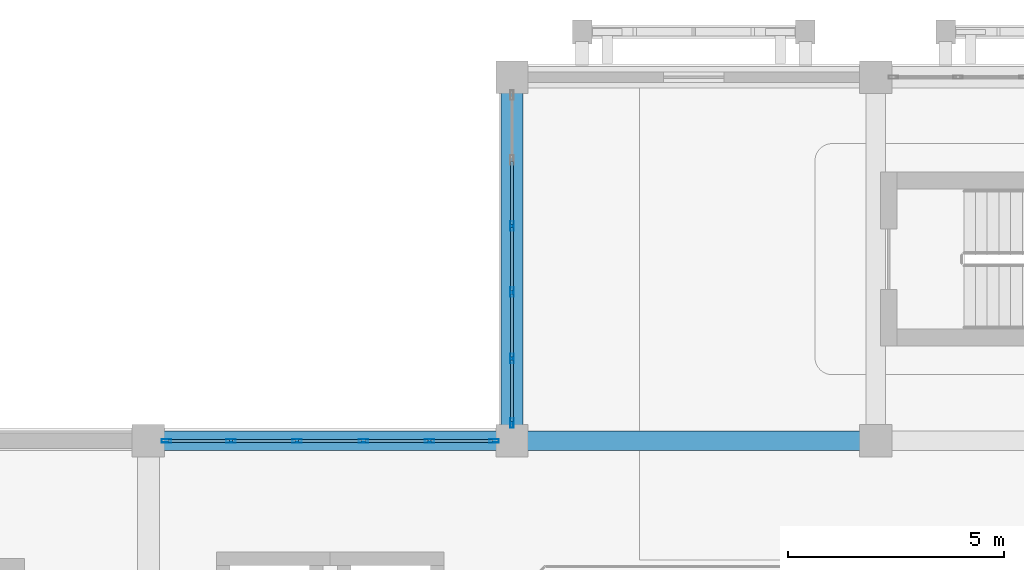
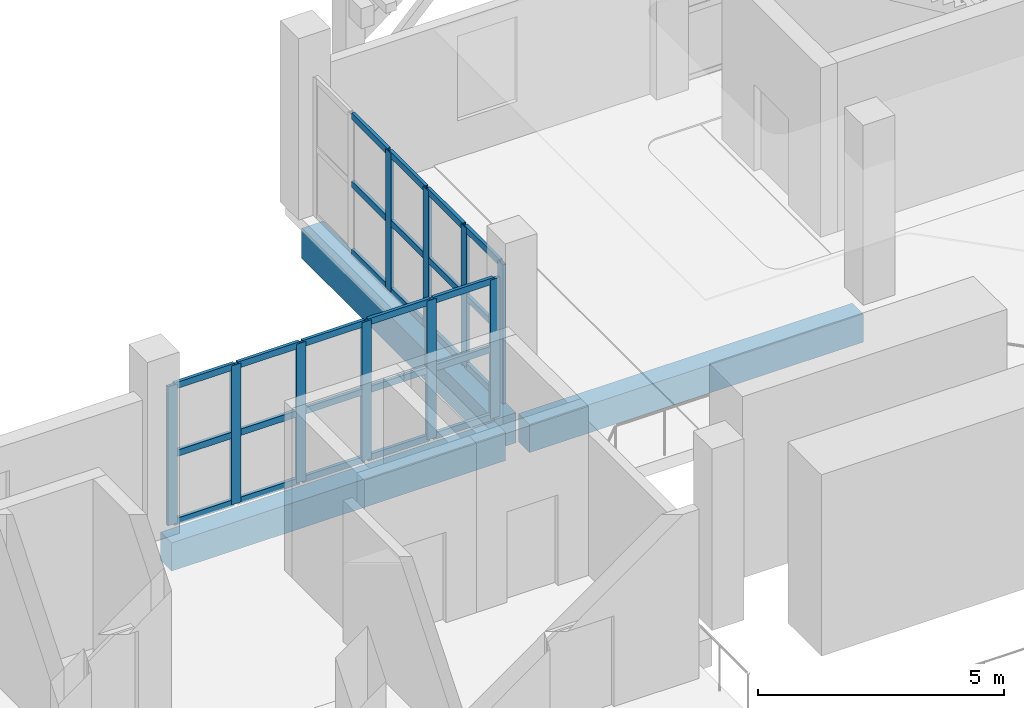
# One storey, part 14 of 34: 37 members, 3 beams, 2 elements without a shape of their own.
"""IFC4 building model written with IfcOpenShell, lengths in metres."""

from ifc_helpers import new_model, si_unit, direction, frame, origin, origin_2d, place, context, subcontext, project, spatial, rectangle, hollow_rectangle, extrude, material, layer, layer_set, material_profile, profile_set, type_object, element, aggregate, save


model = new_model("IFC4")

# Units and contexts
model_context = context("Model", 3, precision=1e-05, world=origin(), true_north=direction((0.0, 1.0)))
body_context = subcontext(model_context, "Body", "Model", "MODEL_VIEW")
ifc_project = project(units=[si_unit("LENGTHUNIT", "METRE"), si_unit("AREAUNIT", "SQUARE_METRE"), si_unit("VOLUMEUNIT", "CUBIC_METRE"), si_unit("PLANEANGLEUNIT", "RADIAN"), si_unit("MASSUNIT", "GRAM", prefix="KILO")], contexts=[model_context])

# Site, building, storey
site_placement = place(None, origin())
site = spatial("IfcSite", under=ifc_project, at=site_placement, CompositionType="ELEMENT")
building_placement = place(site_placement, origin())
building = spatial("IfcBuilding", under=site, at=building_placement, Name="Xazarin Passage Department Store", CompositionType="ELEMENT")
storey_placement = place(building_placement, frame((0.0, 0.0, 18.89990234375)))
storey = spatial("IfcBuildingStorey", under=building, at=storey_placement, Name="L04", CompositionType="ELEMENT", Elevation=18.89990234375)

# Curtain wall, members
ifc_material_1 = material(Name="Bronze anodised aluminium", Category="aluminium")
ifc_layer = layer(ifc_material_1, 0.199951171875)
ifc_layer_set = layer_set([ifc_layer], Name="Bronze anodised aluminium")
curtain_wall_type = type_object("IfcCurtainWallType", Name="ARC-CW-VIT2", PredefinedType="NOTDEFINED", material=ifc_layer_set)
curtain_wall_1_placement = place(storey_placement, origin())
curtain_wall_1 = element("IfcCurtainWall", 1, at=curtain_wall_1_placement, inside=storey, type_object=curtain_wall_type, Name="L04 V1 Curtain Wall 070", PredefinedType="NOTDEFINED")
ifc_material_profile_1 = material_profile(ifc_material_1, hollow_rectangle(XDim=0.074951171875, YDim=0.219970703125, WallThickness=0.0048828125, at=origin_2d()), Name="ALU 75x220")
ifc_profile_set_1 = profile_set([ifc_material_profile_1], Name="Bronze anodised aluminium")
member_type_1 = type_object("IfcMemberType", Name="ARC-CWM-75x220", PredefinedType="MULLION", material=ifc_profile_set_1)
member_1_placement = place(storey_placement, frame((8.8125, 101.60009765625, 0.0), z_axis=(0.0, 0.0, 1.0), x_axis=(0.0, 1.0, 0.0)))
member_1 = element("IfcMember", 2, at=member_1_placement, type_object=member_type_1, Name="CW2 mullion 1", PredefinedType="MULLION", context=body_context, shape_type="SweptSolid", body=[
    extrude(hollow_rectangle(XDim=0.074951171875, YDim=0.219970703125, WallThickness=0.0048828125, at=origin_2d()), origin(), (0.0, 0.0, 1.0), 3.4501953125),
])
member_2_placement = place(storey_placement, frame((10.304931640625, 101.60009765625, 0.0), z_axis=(0.0, 0.0, 1.0), x_axis=(0.0, 1.0, 0.0)))
member_2 = element("IfcMember", 3, at=member_2_placement, type_object=member_type_1, Name="CW2 mullion 2", PredefinedType="MULLION", context=body_context, shape_type="SweptSolid", body=[
    extrude(hollow_rectangle(XDim=0.074951171875, YDim=0.219970703125, WallThickness=0.0048828125, at=origin_2d()), origin(), (0.0, 0.0, 1.0), 3.4501953125),
])
member_3_placement = place(storey_placement, frame((11.8349609375, 101.60009765625, 0.0), z_axis=(0.0, 0.0, 1.0), x_axis=(0.0, 1.0, 0.0)))
member_3 = element("IfcMember", 4, at=member_3_placement, type_object=member_type_1, Name="CW2 mullion 3", PredefinedType="MULLION", context=body_context, shape_type="SweptSolid", body=[
    extrude(hollow_rectangle(XDim=0.074951171875, YDim=0.219970703125, WallThickness=0.0048828125, at=origin_2d()), origin(), (0.0, 0.0, 1.0), 3.4501953125),
])
member_4_placement = place(storey_placement, frame((13.364990234375, 101.60009765625, 0.0), z_axis=(0.0, 0.0, 1.0), x_axis=(0.0, 1.0, 0.0)))
member_4 = element("IfcMember", 5, at=member_4_placement, type_object=member_type_1, Name="CW2 mullion 4", PredefinedType="MULLION", context=body_context, shape_type="SweptSolid", body=[
    extrude(hollow_rectangle(XDim=0.074951171875, YDim=0.219970703125, WallThickness=0.0048828125, at=origin_2d()), origin(), (0.0, 0.0, 1.0), 3.4501953125),
])
member_5_placement = place(storey_placement, frame((14.89501953125, 101.60009765625, 0.0), z_axis=(0.0, 0.0, 1.0), x_axis=(0.0, 1.0, 0.0)))
member_5 = element("IfcMember", 6, at=member_5_placement, type_object=member_type_1, Name="CW2 mullion 5", PredefinedType="MULLION", context=body_context, shape_type="SweptSolid", body=[
    extrude(hollow_rectangle(XDim=0.074951171875, YDim=0.219970703125, WallThickness=0.0048828125, at=origin_2d()), origin(), (0.0, 0.0, 1.0), 3.4501953125),
])
member_6_placement = place(storey_placement, frame((16.387451171875, 101.60009765625, 0.0), z_axis=(0.0, 0.0, 1.0), x_axis=(0.0, 1.0, 0.0)))
member_6 = element("IfcMember", 7, at=member_6_placement, type_object=member_type_1, Name="CW2 mullion 6", PredefinedType="MULLION", context=body_context, shape_type="SweptSolid", body=[
    extrude(hollow_rectangle(XDim=0.074951171875, YDim=0.219970703125, WallThickness=0.0048828125, at=origin_2d()), origin(), (0.0, 0.0, 1.0), 3.4501953125),
])

curtain_wall_2_placement = place(storey_placement, origin())
curtain_wall_2 = element("IfcCurtainWall", 8, at=curtain_wall_2_placement, inside=storey, type_object=curtain_wall_type, Name="L04 V1 Curtain Wall 074", PredefinedType="NOTDEFINED")
member_7_placement = place(storey_placement, frame((16.800048828125, 102.012451171875, 0.0), z_axis=(0.0, 0.0, 1.0), x_axis=(-1.0, 0.0, 0.0)))
member_7 = element("IfcMember", 9, at=member_7_placement, type_object=member_type_1, Name="CW2 mullion 1", PredefinedType="MULLION", context=body_context, shape_type="SweptSolid", body=[
    extrude(hollow_rectangle(XDim=0.074951171875, YDim=0.219970703125, WallThickness=0.0048828125, at=origin_2d()), origin(), (0.0, 0.0, 1.0), 3.4501953125),
])
member_8_placement = place(storey_placement, frame((16.800048828125, 103.5048828125, 0.0), z_axis=(0.0, 0.0, 1.0), x_axis=(-1.0, 0.0, 0.0)))
member_8 = element("IfcMember", 10, at=member_8_placement, type_object=member_type_1, Name="CW2 mullion 2", PredefinedType="MULLION", context=body_context, shape_type="SweptSolid", body=[
    extrude(hollow_rectangle(XDim=0.074951171875, YDim=0.219970703125, WallThickness=0.0048828125, at=origin_2d()), origin(), (0.0, 0.0, 1.0), 3.4501953125),
])
member_9_placement = place(storey_placement, frame((16.800048828125, 105.034912109375, 0.0), z_axis=(0.0, 0.0, 1.0), x_axis=(-1.0, 0.0, 0.0)))
member_9 = element("IfcMember", 11, at=member_9_placement, type_object=member_type_1, Name="CW2 mullion 3", PredefinedType="MULLION", context=body_context, shape_type="SweptSolid", body=[
    extrude(hollow_rectangle(XDim=0.074951171875, YDim=0.219970703125, WallThickness=0.0048828125, at=origin_2d()), origin(), (0.0, 0.0, 1.0), 3.4501953125),
])
member_10_placement = place(storey_placement, frame((16.800048828125, 106.56494140625, 0.0), z_axis=(0.0, 0.0, 1.0), x_axis=(-1.0, 0.0, 0.0)))
member_10 = element("IfcMember", 12, at=member_10_placement, type_object=member_type_1, Name="CW2 mullion 4", PredefinedType="MULLION", context=body_context, shape_type="SweptSolid", body=[
    extrude(hollow_rectangle(XDim=0.074951171875, YDim=0.219970703125, WallThickness=0.0048828125, at=origin_2d()), origin(), (0.0, 0.0, 1.0), 3.4501953125),
])

# Member
ifc_material_profile_2 = material_profile(ifc_material_1, hollow_rectangle(XDim=0.074951171875, YDim=0.159912109375, WallThickness=0.00439453125, at=origin_2d()), Name="ALU 75x160")
ifc_profile_set_2 = profile_set([ifc_material_profile_2], Name="Bronze anodised aluminium")
member_type_2 = type_object("IfcMemberType", Name="ARC-CWT-75x160", PredefinedType="USERDEFINED", material=ifc_profile_set_2)
member_11_placement = place(storey_placement, frame((8.85009765625, 101.60009765625, 0.03759765625), z_axis=(1.0, 0.0, 0.0), x_axis=(0.0, 1.0, 0.0)))
member_11 = element("IfcMember", 13, at=member_11_placement, type_object=member_type_2, Name="CW2 transom 1.1", ObjectType="TRANSOM", PredefinedType="USERDEFINED", context=body_context, shape_type="SweptSolid", body=[
    extrude(hollow_rectangle(XDim=0.074951171875, YDim=0.159912109375, WallThickness=0.00439453125, at=origin_2d()), origin(), (0.0, 0.0, 1.0), 1.41748046875),
])

member_12_placement = place(storey_placement, frame((8.85009765625, 101.60009765625, 1.72509765625), z_axis=(1.0, 0.0, 0.0), x_axis=(0.0, 1.0, 0.0)))
member_12 = element("IfcMember", 14, at=member_12_placement, type_object=member_type_2, Name="CW2 transom 1.2", ObjectType="TRANSOM", PredefinedType="USERDEFINED", context=body_context, shape_type="SweptSolid", body=[
    extrude(hollow_rectangle(XDim=0.074951171875, YDim=0.159912109375, WallThickness=0.00439453125, at=origin_2d()), origin(), (0.0, 0.0, 1.0), 1.41748046875),
])

member_13_placement = place(storey_placement, frame((8.85009765625, 101.60009765625, 3.41259765625), z_axis=(1.0, 0.0, 0.0), x_axis=(0.0, 1.0, 0.0)))
member_13 = element("IfcMember", 15, at=member_13_placement, type_object=member_type_2, Name="CW2 transom 1.3", ObjectType="TRANSOM", PredefinedType="USERDEFINED", context=body_context, shape_type="SweptSolid", body=[
    extrude(hollow_rectangle(XDim=0.074951171875, YDim=0.159912109375, WallThickness=0.00439453125, at=origin_2d()), origin(), (0.0, 0.0, 1.0), 1.41748046875),
])

member_14_placement = place(storey_placement, frame((10.342529296875, 101.60009765625, 0.03759765625), z_axis=(1.0, 0.0, 0.0), x_axis=(0.0, 1.0, 0.0)))
member_14 = element("IfcMember", 16, at=member_14_placement, type_object=member_type_2, Name="CW2 transom 2.1", ObjectType="TRANSOM", PredefinedType="USERDEFINED", context=body_context, shape_type="SweptSolid", body=[
    extrude(hollow_rectangle(XDim=0.074951171875, YDim=0.159912109375, WallThickness=0.00439453125, at=origin_2d()), origin(), (0.0, 0.0, 1.0), 1.455078125),
])

member_15_placement = place(storey_placement, frame((10.342529296875, 101.60009765625, 1.72509765625), z_axis=(1.0, 0.0, 0.0), x_axis=(0.0, 1.0, 0.0)))
member_15 = element("IfcMember", 17, at=member_15_placement, type_object=member_type_2, Name="CW2 transom 2.2", ObjectType="TRANSOM", PredefinedType="USERDEFINED", context=body_context, shape_type="SweptSolid", body=[
    extrude(hollow_rectangle(XDim=0.074951171875, YDim=0.159912109375, WallThickness=0.00439453125, at=origin_2d()), origin(), (0.0, 0.0, 1.0), 1.455078125),
])

member_16_placement = place(storey_placement, frame((10.342529296875, 101.60009765625, 3.41259765625), z_axis=(1.0, 0.0, 0.0), x_axis=(0.0, 1.0, 0.0)))
member_16 = element("IfcMember", 18, at=member_16_placement, type_object=member_type_2, Name="CW2 transom 2.3", ObjectType="TRANSOM", PredefinedType="USERDEFINED", context=body_context, shape_type="SweptSolid", body=[
    extrude(hollow_rectangle(XDim=0.074951171875, YDim=0.159912109375, WallThickness=0.00439453125, at=origin_2d()), origin(), (0.0, 0.0, 1.0), 1.455078125),
])

member_17_placement = place(storey_placement, frame((11.87255859375, 101.60009765625, 0.03759765625), z_axis=(1.0, 0.0, 0.0), x_axis=(0.0, 1.0, 0.0)))
member_17 = element("IfcMember", 19, at=member_17_placement, type_object=member_type_2, Name="CW2 transom 3.1", ObjectType="TRANSOM", PredefinedType="USERDEFINED", context=body_context, shape_type="SweptSolid", body=[
    extrude(hollow_rectangle(XDim=0.074951171875, YDim=0.159912109375, WallThickness=0.00439453125, at=origin_2d()), origin(), (0.0, 0.0, 1.0), 1.454833984375),
])

member_18_placement = place(storey_placement, frame((11.87255859375, 101.60009765625, 1.72509765625), z_axis=(1.0, 0.0, 0.0), x_axis=(0.0, 1.0, 0.0)))
member_18 = element("IfcMember", 20, at=member_18_placement, type_object=member_type_2, Name="CW2 transom 3.2", ObjectType="TRANSOM", PredefinedType="USERDEFINED", context=body_context, shape_type="SweptSolid", body=[
    extrude(hollow_rectangle(XDim=0.074951171875, YDim=0.159912109375, WallThickness=0.00439453125, at=origin_2d()), origin(), (0.0, 0.0, 1.0), 1.454833984375),
])

member_19_placement = place(storey_placement, frame((11.87255859375, 101.60009765625, 3.41259765625), z_axis=(1.0, 0.0, 0.0), x_axis=(0.0, 1.0, 0.0)))
member_19 = element("IfcMember", 21, at=member_19_placement, type_object=member_type_2, Name="CW2 transom 3.3", ObjectType="TRANSOM", PredefinedType="USERDEFINED", context=body_context, shape_type="SweptSolid", body=[
    extrude(hollow_rectangle(XDim=0.074951171875, YDim=0.159912109375, WallThickness=0.00439453125, at=origin_2d()), origin(), (0.0, 0.0, 1.0), 1.454833984375),
])

member_20_placement = place(storey_placement, frame((13.402587890625, 101.60009765625, 0.03759765625), z_axis=(1.0, 0.0, 0.0), x_axis=(0.0, 1.0, 0.0)))
member_20 = element("IfcMember", 22, at=member_20_placement, type_object=member_type_2, Name="CW2 transom 4.1", ObjectType="TRANSOM", PredefinedType="USERDEFINED", context=body_context, shape_type="SweptSolid", body=[
    extrude(hollow_rectangle(XDim=0.074951171875, YDim=0.159912109375, WallThickness=0.00439453125, at=origin_2d()), origin(), (0.0, 0.0, 1.0), 1.454833984375),
])

member_21_placement = place(storey_placement, frame((13.402587890625, 101.60009765625, 1.72509765625), z_axis=(1.0, 0.0, 0.0), x_axis=(0.0, 1.0, 0.0)))
member_21 = element("IfcMember", 23, at=member_21_placement, type_object=member_type_2, Name="CW2 transom 4.2", ObjectType="TRANSOM", PredefinedType="USERDEFINED", context=body_context, shape_type="SweptSolid", body=[
    extrude(hollow_rectangle(XDim=0.074951171875, YDim=0.159912109375, WallThickness=0.00439453125, at=origin_2d()), origin(), (0.0, 0.0, 1.0), 1.454833984375),
])

member_22_placement = place(storey_placement, frame((13.402587890625, 101.60009765625, 3.41259765625), z_axis=(1.0, 0.0, 0.0), x_axis=(0.0, 1.0, 0.0)))
member_22 = element("IfcMember", 24, at=member_22_placement, type_object=member_type_2, Name="CW2 transom 4.3", ObjectType="TRANSOM", PredefinedType="USERDEFINED", context=body_context, shape_type="SweptSolid", body=[
    extrude(hollow_rectangle(XDim=0.074951171875, YDim=0.159912109375, WallThickness=0.00439453125, at=origin_2d()), origin(), (0.0, 0.0, 1.0), 1.454833984375),
])

member_23_placement = place(storey_placement, frame((14.9326171875, 101.60009765625, 0.03759765625), z_axis=(1.0, 0.0, 0.0), x_axis=(0.0, 1.0, 0.0)))
member_23 = element("IfcMember", 25, at=member_23_placement, type_object=member_type_2, Name="CW2 transom 5.1", ObjectType="TRANSOM", PredefinedType="USERDEFINED", context=body_context, shape_type="SweptSolid", body=[
    extrude(hollow_rectangle(XDim=0.074951171875, YDim=0.159912109375, WallThickness=0.00439453125, at=origin_2d()), origin(), (0.0, 0.0, 1.0), 1.41748046875),
])

member_24_placement = place(storey_placement, frame((14.9326171875, 101.60009765625, 1.72509765625), z_axis=(1.0, 0.0, 0.0), x_axis=(0.0, 1.0, 0.0)))
member_24 = element("IfcMember", 26, at=member_24_placement, type_object=member_type_2, Name="CW2 transom 5.2", ObjectType="TRANSOM", PredefinedType="USERDEFINED", context=body_context, shape_type="SweptSolid", body=[
    extrude(hollow_rectangle(XDim=0.074951171875, YDim=0.159912109375, WallThickness=0.00439453125, at=origin_2d()), origin(), (0.0, 0.0, 1.0), 1.41748046875),
])

member_25_placement = place(storey_placement, frame((14.9326171875, 101.60009765625, 3.41259765625), z_axis=(1.0, 0.0, 0.0), x_axis=(0.0, 1.0, 0.0)))
member_25 = element("IfcMember", 27, at=member_25_placement, type_object=member_type_2, Name="CW2 transom 5.3", ObjectType="TRANSOM", PredefinedType="USERDEFINED", context=body_context, shape_type="SweptSolid", body=[
    extrude(hollow_rectangle(XDim=0.074951171875, YDim=0.159912109375, WallThickness=0.00439453125, at=origin_2d()), origin(), (0.0, 0.0, 1.0), 1.41748046875),
])

aggregate(curtain_wall_1, [member_1, member_2, member_3, member_4, member_5, member_6, member_11, member_12, member_13, member_14, member_15, member_16, member_17, member_18, member_19, member_20, member_21, member_22, member_23, member_24, member_25])

member_26_placement = place(storey_placement, frame((16.800048828125, 102.050048828125, 0.03759765625), z_axis=(0.0, 1.0, 0.0), x_axis=(-1.0, 0.0, 0.0)))
member_26 = element("IfcMember", 28, at=member_26_placement, type_object=member_type_2, Name="CW2 transom 1.1", ObjectType="TRANSOM", PredefinedType="USERDEFINED", context=body_context, shape_type="SweptSolid", body=[
    extrude(hollow_rectangle(XDim=0.074951171875, YDim=0.159912109375, WallThickness=0.00439453125, at=origin_2d()), origin(), (0.0, 0.0, 1.0), 1.41748046875),
])

member_27_placement = place(storey_placement, frame((16.800048828125, 102.050048828125, 1.72509765625), z_axis=(0.0, 1.0, 0.0), x_axis=(-1.0, 0.0, 0.0)))
member_27 = element("IfcMember", 29, at=member_27_placement, type_object=member_type_2, Name="CW2 transom 1.2", ObjectType="TRANSOM", PredefinedType="USERDEFINED", context=body_context, shape_type="SweptSolid", body=[
    extrude(hollow_rectangle(XDim=0.074951171875, YDim=0.159912109375, WallThickness=0.00439453125, at=origin_2d()), origin(), (0.0, 0.0, 1.0), 1.41748046875),
])

member_28_placement = place(storey_placement, frame((16.800048828125, 102.050048828125, 3.41259765625), z_axis=(0.0, 1.0, 0.0), x_axis=(-1.0, 0.0, 0.0)))
member_28 = element("IfcMember", 30, at=member_28_placement, type_object=member_type_2, Name="CW2 transom 1.3", ObjectType="TRANSOM", PredefinedType="USERDEFINED", context=body_context, shape_type="SweptSolid", body=[
    extrude(hollow_rectangle(XDim=0.074951171875, YDim=0.159912109375, WallThickness=0.00439453125, at=origin_2d()), origin(), (0.0, 0.0, 1.0), 1.41748046875),
])

member_29_placement = place(storey_placement, frame((16.800048828125, 103.54248046875, 0.03759765625), z_axis=(0.0, 1.0, 0.0), x_axis=(-1.0, 0.0, 0.0)))
member_29 = element("IfcMember", 31, at=member_29_placement, type_object=member_type_2, Name="CW2 transom 2.1", ObjectType="TRANSOM", PredefinedType="USERDEFINED", context=body_context, shape_type="SweptSolid", body=[
    extrude(hollow_rectangle(XDim=0.074951171875, YDim=0.159912109375, WallThickness=0.00439453125, at=origin_2d()), origin(), (0.0, 0.0, 1.0), 1.455078125),
])

member_30_placement = place(storey_placement, frame((16.800048828125, 103.54248046875, 1.72509765625), z_axis=(0.0, 1.0, 0.0), x_axis=(-1.0, 0.0, 0.0)))
member_30 = element("IfcMember", 32, at=member_30_placement, type_object=member_type_2, Name="CW2 transom 2.2", ObjectType="TRANSOM", PredefinedType="USERDEFINED", context=body_context, shape_type="SweptSolid", body=[
    extrude(hollow_rectangle(XDim=0.074951171875, YDim=0.159912109375, WallThickness=0.00439453125, at=origin_2d()), origin(), (0.0, 0.0, 1.0), 1.455078125),
])

member_31_placement = place(storey_placement, frame((16.800048828125, 103.54248046875, 3.41259765625), z_axis=(0.0, 1.0, 0.0), x_axis=(-1.0, 0.0, 0.0)))
member_31 = element("IfcMember", 33, at=member_31_placement, type_object=member_type_2, Name="CW2 transom 2.3", ObjectType="TRANSOM", PredefinedType="USERDEFINED", context=body_context, shape_type="SweptSolid", body=[
    extrude(hollow_rectangle(XDim=0.074951171875, YDim=0.159912109375, WallThickness=0.00439453125, at=origin_2d()), origin(), (0.0, 0.0, 1.0), 1.455078125),
])

member_32_placement = place(storey_placement, frame((16.800048828125, 105.072509765625, 0.03759765625), z_axis=(0.0, 1.0, 0.0), x_axis=(-1.0, 0.0, 0.0)))
member_32 = element("IfcMember", 34, at=member_32_placement, type_object=member_type_2, Name="CW2 transom 3.1", ObjectType="TRANSOM", PredefinedType="USERDEFINED", context=body_context, shape_type="SweptSolid", body=[
    extrude(hollow_rectangle(XDim=0.074951171875, YDim=0.159912109375, WallThickness=0.00439453125, at=origin_2d()), origin(), (0.0, 0.0, 1.0), 1.455078125),
])

member_33_placement = place(storey_placement, frame((16.800048828125, 105.072509765625, 1.72509765625), z_axis=(0.0, 1.0, 0.0), x_axis=(-1.0, 0.0, 0.0)))
member_33 = element("IfcMember", 35, at=member_33_placement, type_object=member_type_2, Name="CW2 transom 3.2", ObjectType="TRANSOM", PredefinedType="USERDEFINED", context=body_context, shape_type="SweptSolid", body=[
    extrude(hollow_rectangle(XDim=0.074951171875, YDim=0.159912109375, WallThickness=0.00439453125, at=origin_2d()), origin(), (0.0, 0.0, 1.0), 1.455078125),
])

member_34_placement = place(storey_placement, frame((16.800048828125, 105.072509765625, 3.41259765625), z_axis=(0.0, 1.0, 0.0), x_axis=(-1.0, 0.0, 0.0)))
member_34 = element("IfcMember", 36, at=member_34_placement, type_object=member_type_2, Name="CW2 transom 3.3", ObjectType="TRANSOM", PredefinedType="USERDEFINED", context=body_context, shape_type="SweptSolid", body=[
    extrude(hollow_rectangle(XDim=0.074951171875, YDim=0.159912109375, WallThickness=0.00439453125, at=origin_2d()), origin(), (0.0, 0.0, 1.0), 1.455078125),
])

member_35_placement = place(storey_placement, frame((16.800048828125, 106.6025390625, 0.03759765625), z_axis=(0.0, 1.0, 0.0), x_axis=(-1.0, 0.0, 0.0)))
member_35 = element("IfcMember", 37, at=member_35_placement, type_object=member_type_2, Name="CW2 transom 4.1", ObjectType="TRANSOM", PredefinedType="USERDEFINED", context=body_context, shape_type="SweptSolid", body=[
    extrude(hollow_rectangle(XDim=0.074951171875, YDim=0.159912109375, WallThickness=0.00439453125, at=origin_2d()), origin(), (0.0, 0.0, 1.0), 1.455078125),
])

member_36_placement = place(storey_placement, frame((16.800048828125, 106.6025390625, 1.72509765625), z_axis=(0.0, 1.0, 0.0), x_axis=(-1.0, 0.0, 0.0)))
member_36 = element("IfcMember", 38, at=member_36_placement, type_object=member_type_2, Name="CW2 transom 4.2", ObjectType="TRANSOM", PredefinedType="USERDEFINED", context=body_context, shape_type="SweptSolid", body=[
    extrude(hollow_rectangle(XDim=0.074951171875, YDim=0.159912109375, WallThickness=0.00439453125, at=origin_2d()), origin(), (0.0, 0.0, 1.0), 1.455078125),
])

member_37_placement = place(storey_placement, frame((16.800048828125, 106.6025390625, 3.41259765625), z_axis=(0.0, 1.0, 0.0), x_axis=(-1.0, 0.0, 0.0)))
member_37 = element("IfcMember", 39, at=member_37_placement, type_object=member_type_2, Name="CW2 transom 4.3", ObjectType="TRANSOM", PredefinedType="USERDEFINED", context=body_context, shape_type="SweptSolid", body=[
    extrude(hollow_rectangle(XDim=0.074951171875, YDim=0.159912109375, WallThickness=0.00439453125, at=origin_2d()), origin(), (0.0, 0.0, 1.0), 1.455078125),
])

aggregate(curtain_wall_2, [member_7, member_8, member_9, member_10, member_26, member_27, member_28, member_29, member_30, member_31, member_32, member_33, member_34, member_35, member_36, member_37])

# Beams
ifc_material_2 = material(Name="Concrete C35/45", Category="concrete")
ifc_material_profile_3 = material_profile(ifc_material_2, rectangle(XDim=0.449951171875, YDim=0.699951171875, at=origin_2d()), Name="RC 450x700")
ifc_profile_set_3 = profile_set([ifc_material_profile_3], Name="Concrete C35/45")
beam_type_1 = type_object("IfcBeamType", Name="STR-BM-G450x700", PredefinedType="BEAM", material=ifc_profile_set_3)
beam_1_placement = place(storey_placement, frame((8.679931640625, 101.60009765625, -0.64990234375), z_axis=(1.0, 0.0, 0.0), x_axis=(0.0, 1.0, 0.0)))
element("IfcBeam", 40, at=beam_1_placement, inside=storey, type_object=beam_type_1, Name="L04 Grid Beam P/2-3", PredefinedType="BEAM", context=body_context, shape_type="SweptSolid", body=[
    extrude(rectangle(XDim=0.449951171875, YDim=0.699951171875, at=origin_2d()), origin(), (0.0, 0.0, 1.0), 7.840087890625),
])
beam_2_placement = place(storey_placement, frame((17.080078125, 101.60009765625, -0.64990234375), z_axis=(1.0, 0.0, 0.0), x_axis=(0.0, 1.0, 0.0)))
element("IfcBeam", 41, at=beam_2_placement, inside=storey, type_object=beam_type_1, Name="L04 Grid Beam P/3-4", PredefinedType="BEAM", context=body_context, shape_type="SweptSolid", body=[
    extrude(rectangle(XDim=0.449951171875, YDim=0.699951171875, at=origin_2d()), origin(), (0.0, 0.0, 1.0), 7.83984375),
])
ifc_material_profile_4 = material_profile(ifc_material_2, rectangle(XDim=0.5, YDim=0.75, at=origin_2d()), Name="RC 500x750")
ifc_profile_set_4 = profile_set([ifc_material_profile_4], Name="Concrete C35/45")
beam_type_2 = type_object("IfcBeamType", Name="STR-BM-SP500x750", PredefinedType="SPANDREL", material=ifc_profile_set_4)
beam_3_placement = place(storey_placement, frame((16.800048828125, 101.8798828125, -0.6748046875), z_axis=(0.0, 1.0, 0.0), x_axis=(-1.0, 0.0, 0.0)))
element("IfcBeam", 42, at=beam_3_placement, inside=storey, type_object=beam_type_2, Name="L04 Grid Beam 3/P-Q", PredefinedType="SPANDREL", context=body_context, shape_type="SweptSolid", body=[
    extrude(rectangle(XDim=0.5, YDim=0.75, at=origin_2d()), origin(), (0.0, 0.0, 1.0), 7.840087890625),
])

save(model, "model.ifc")
